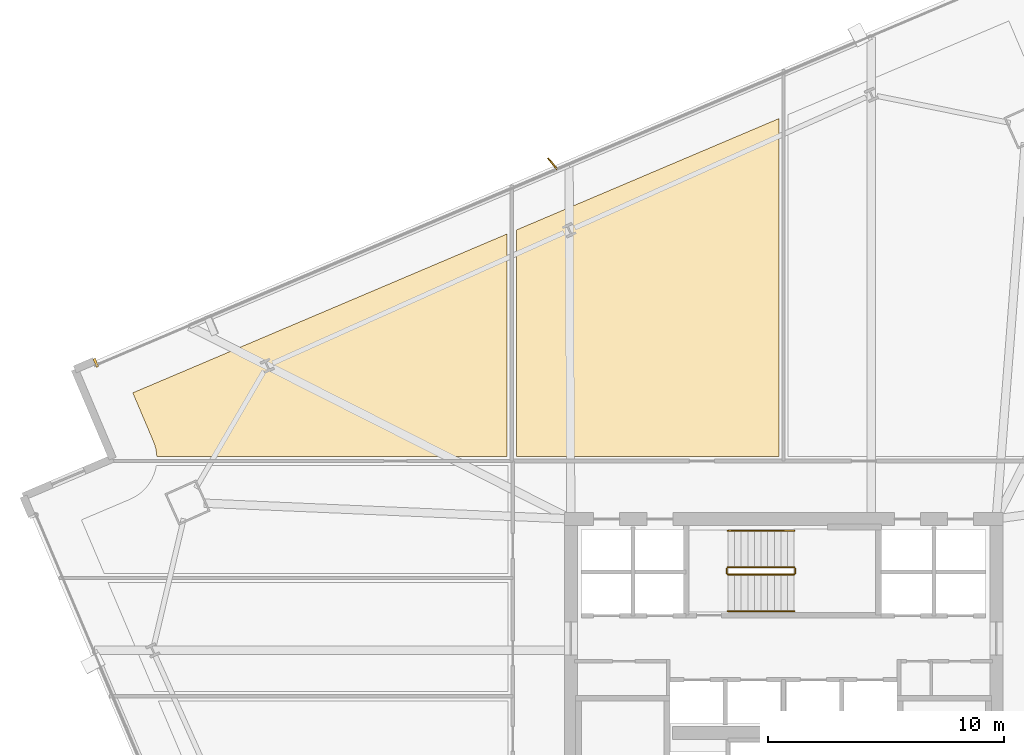
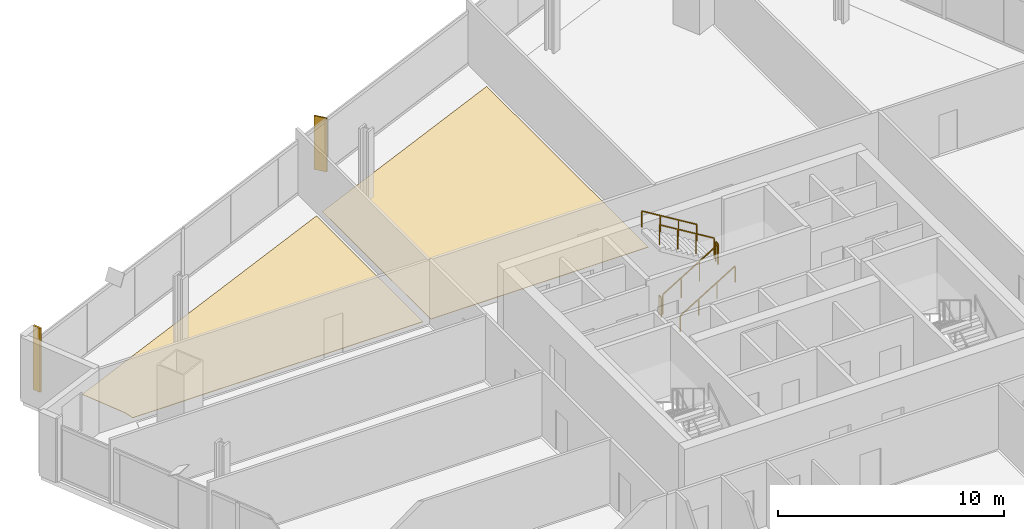
# One storey, part 33 of 34: 6 railings, 3 coverings, 1 shading device.
"""IFC4 building model written with IfcOpenShell, lengths in metres."""

from ifc_helpers import new_model, si_unit, direction, frame, origin, origin_2d, place, context, subcontext, project, spatial, polyline, rectangle, outline, extrude, source, transform, mapped, material, layer, layer_set, type_object, element, save


model = new_model("IFC4")

# Units and contexts
model_context = context("Model", 3, precision=1e-05, world=origin(), true_north=direction((0.0, 1.0)))
body_context = subcontext(model_context, "Body", "Model", "MODEL_VIEW")
ifc_project = project(units=[si_unit("LENGTHUNIT", "METRE"), si_unit("AREAUNIT", "SQUARE_METRE"), si_unit("VOLUMEUNIT", "CUBIC_METRE"), si_unit("PLANEANGLEUNIT", "RADIAN"), si_unit("MASSUNIT", "GRAM", prefix="KILO")], contexts=[model_context])

# Site, building, storey
site_placement = place(None, origin())
site = spatial("IfcSite", under=ifc_project, at=site_placement, CompositionType="ELEMENT")
building_placement = place(site_placement, origin())
building = spatial("IfcBuilding", under=site, at=building_placement, Name="Haldenkirk Collegiate Tower", CompositionType="ELEMENT")
storey_placement = place(building_placement, frame((0.0, 0.0, 105.449951171875)))
storey = spatial("IfcBuildingStorey", under=building, at=storey_placement, Name="L25", CompositionType="ELEMENT", Elevation=105.449951171875)

# Coverings
ifc_material_1 = material(Name="Polished collegiate terrazzo", Category="concrete")
ifc_layer_1 = layer(ifc_material_1, 0.02490234375)
ifc_layer_set_1 = layer_set([ifc_layer_1], Name="Polished collegiate terrazzo")
covering_type_1 = type_object("IfcCoveringType", Name="COV-FLOOR-TERRAZZO", PredefinedType="FLOORING", material=ifc_layer_set_1)
covering_1_placement = place(storey_placement, origin())
element("IfcCovering", 1, at=covering_1_placement, inside=storey, type_object=covering_type_1, Name="L25 academic room finish 04", PredefinedType="FLOORING", context=body_context, shape_type="SweptSolid", body=[
    extrude(outline(polyline([(9.4814453125, 36.743896484375), (9.480224609375, 36.755859375), (9.45361328125, 36.925537109375), (9.451171875, 36.93701171875), (9.407958984375, 37.103271484375), (9.404296875, 37.114501953125), (9.34521484375, 37.275634765625), (9.343017578125, 37.281005859375), (8.4716796875, 39.333740234375), (24.300048828125, 46.052490234375), (24.300048828125, 36.64990234375), (9.48681640625, 36.64990234375), (9.4814453125, 36.743896484375)])), origin(), (0.0, 0.0, 1.0), 0.025146484375),
])
ifc_material_2 = material(Name="Engineered collegiate oak acoustic flooring", Category="wood")
ifc_layer_2 = layer(ifc_material_2, 0.02197265625)
ifc_layer_set_2 = layer_set([ifc_layer_2], Name="Engineered collegiate oak acoustic flooring")
covering_type_2 = type_object("IfcCoveringType", Name="COV-FLOOR-TIMBER", PredefinedType="FLOORING", material=ifc_layer_set_2)
covering_2_placement = place(storey_placement, origin())
element("IfcCovering", 2, at=covering_2_placement, inside=storey, type_object=covering_type_2, Name="L25 academic room finish 05", PredefinedType="FLOORING", context=body_context, shape_type="SweptSolid", body=[
    extrude(outline(polyline([(35.800048828125, 50.93408203125), (35.800048828125, 36.64990234375), (24.699951171875, 36.64990234375), (24.699951171875, 46.222412109375), (35.800048828125, 50.93408203125)])), origin(), (0.0, 0.0, 1.0), 0.02197265625),
])

# Railings
ifc_material_3 = material(Name="Painted architectural tubular steel", Category="steel")
railing_type_1 = type_object("IfcRailingType", Name="RLG-STAIR-GUARD-1100", PredefinedType="BALUSTRADE", material=ifc_material_3)
railing_1_placement = place(storey_placement, frame((33.64990234375, 31.64990234375, 0.17041015625)))
element("IfcRailing", 3, at=railing_1_placement, inside=storey, type_object=railing_type_1, Name="L25 ST-3 stair guard 1", PredefinedType="BALUSTRADE", context=body_context, shape_type="SweptSolid", body=[
    extrude(rectangle(XDim=0.048095703125, YDim=0.048095703125, at=origin_2d()), frame((0.0, 0.0, 1.076171875), z_axis=(0.854169791009, 0.0, 0.51999420009), x_axis=(0.0, 1.0, 0.0)), (0.0, 0.0, 1.0), 3.278076171875),
    extrude(rectangle(XDim=0.0419921875, YDim=0.0419921875, at=origin_2d()), origin(), (0.0, 0.0, 1.0), 1.052001953125),
    extrude(rectangle(XDim=0.0419921875, YDim=0.0419921875, at=origin_2d()), frame((0.933349609375, 0.0, 0.568115234375)), (0.0, 0.0, 1.0), 1.052001953125),
    extrude(rectangle(XDim=0.0419921875, YDim=0.0419921875, at=origin_2d()), frame((1.86669921875, 0.0, 1.136474609375)), (0.0, 0.0, 1.0), 1.052001953125),
    extrude(rectangle(XDim=0.0419921875, YDim=0.0419921875, at=origin_2d()), frame((2.800048828125, 0.0, 1.70458984375)), (0.0, 0.0, 1.0), 1.052001953125),
])
railing_2_placement = place(storey_placement, frame((36.5, 31.699951171875, 1.875)))
element("IfcRailing", 4, at=railing_2_placement, inside=storey, type_object=railing_type_1, Name="L25 ST-3 stair guard 2", PredefinedType="BALUSTRADE", context=body_context, shape_type="SweptSolid", body=[
    extrude(rectangle(XDim=0.048095703125, YDim=0.048095703125, at=origin_2d()), frame((0.0, 0.0, 1.076171875), z_axis=(0.0, 1.0, 0.0), x_axis=(-1.0, 0.0, 0.0)), (0.0, 0.0, 1.0), 0.199951171875),
    extrude(rectangle(XDim=0.0419921875, YDim=0.0419921875, at=origin_2d()), origin(), (0.0, 0.0, 1.0), 1.052001953125),
    extrude(rectangle(XDim=0.0419921875, YDim=0.0419921875, at=origin_2d()), frame((0.0, 0.199951171875, 0.0)), (0.0, 0.0, 1.0), 1.052001953125),
])
railing_3_placement = place(storey_placement, frame((36.449951171875, 31.949951171875, 2.04541015625)))
element("IfcRailing", 5, at=railing_3_placement, inside=storey, type_object=railing_type_1, Name="L25 ST-3 stair guard 3", PredefinedType="BALUSTRADE", context=body_context, shape_type="SweptSolid", body=[
    extrude(rectangle(XDim=0.048095703125, YDim=0.048095703125, at=origin_2d()), frame((0.0, 0.0, 1.076171875), z_axis=(-0.854169791009, 0.0, 0.51999420009), x_axis=(0.0, -1.0, 0.0)), (0.0, 0.0, 1.0), 3.278076171875),
    extrude(rectangle(XDim=0.0419921875, YDim=0.0419921875, at=origin_2d()), origin(), (0.0, 0.0, 1.0), 1.052001953125),
    extrude(rectangle(XDim=0.0419921875, YDim=0.0419921875, at=origin_2d()), frame((-0.933349609375, 0.0, 0.568115234375)), (0.0, 0.0, 1.0), 1.052001953125),
    extrude(rectangle(XDim=0.0419921875, YDim=0.0419921875, at=origin_2d()), frame((-1.86669921875, 0.0, 1.136474609375)), (0.0, 0.0, 1.0), 1.052001953125),
    extrude(rectangle(XDim=0.0419921875, YDim=0.0419921875, at=origin_2d()), frame((-2.800048828125, 0.0, 1.70458984375)), (0.0, 0.0, 1.0), 1.052001953125),
])
railing_4_placement = place(storey_placement, frame((33.60009765625, 31.699951171875, 0.0)))
element("IfcRailing", 6, at=railing_4_placement, inside=storey, type_object=railing_type_1, Name="L25 ST-3 stair guard 4", PredefinedType="BALUSTRADE", context=body_context, shape_type="SweptSolid", body=[
    extrude(rectangle(XDim=0.048095703125, YDim=0.048095703125, at=origin_2d()), frame((0.0, 0.0, 1.076171875), z_axis=(0.0, 1.0, 0.0), x_axis=(-1.0, 0.0, 0.0)), (0.0, 0.0, 1.0), 0.199951171875),
    extrude(rectangle(XDim=0.0419921875, YDim=0.0419921875, at=origin_2d()), origin(), (0.0, 0.0, 1.0), 1.052001953125),
    extrude(rectangle(XDim=0.0419921875, YDim=0.0419921875, at=origin_2d()), frame((0.0, 0.199951171875, 0.0)), (0.0, 0.0, 1.0), 1.052001953125),
])
railing_type_2 = type_object("IfcRailingType", Name="RLG-STAIR-HANDRAIL-900", PredefinedType="HANDRAIL", material=ifc_material_3)
railing_5_placement = place(storey_placement, frame((33.64990234375, 30.10009765625, 0.17041015625)))
element("IfcRailing", 7, at=railing_5_placement, inside=storey, type_object=railing_type_2, Name="L25 ST-3 stair handrail 1", PredefinedType="HANDRAIL", context=body_context, shape_type="SweptSolid", body=[
    extrude(rectangle(XDim=0.048095703125, YDim=0.048095703125, at=origin_2d()), frame((0.0, 0.0, 0.8759765625), z_axis=(0.854169791009, 0.0, 0.51999420009), x_axis=(0.0, 1.0, 0.0)), (0.0, 0.0, 1.0), 3.278076171875),
    extrude(rectangle(XDim=0.0419921875, YDim=0.0419921875, at=origin_2d()), origin(), (0.0, 0.0, 1.0), 0.851806640625),
    extrude(rectangle(XDim=0.0419921875, YDim=0.0419921875, at=origin_2d()), frame((0.933349609375, 0.0, 0.568115234375)), (0.0, 0.0, 1.0), 0.851806640625),
    extrude(rectangle(XDim=0.0419921875, YDim=0.0419921875, at=origin_2d()), frame((1.86669921875, 0.0, 1.136474609375)), (0.0, 0.0, 1.0), 0.851806640625),
    extrude(rectangle(XDim=0.0419921875, YDim=0.0419921875, at=origin_2d()), frame((2.800048828125, 0.0, 1.70458984375)), (0.0, 0.0, 1.0), 0.851806640625),
])
railing_6_placement = place(storey_placement, frame((36.449951171875, 33.5, 2.04541015625)))
element("IfcRailing", 8, at=railing_6_placement, inside=storey, type_object=railing_type_2, Name="L25 ST-3 stair handrail 2", PredefinedType="HANDRAIL", context=body_context, shape_type="SweptSolid", body=[
    extrude(rectangle(XDim=0.048095703125, YDim=0.048095703125, at=origin_2d()), frame((0.0, 0.0, 0.8759765625), z_axis=(-0.854169791009, 0.0, 0.51999420009), x_axis=(0.0, -1.0, 0.0)), (0.0, 0.0, 1.0), 3.278076171875),
    extrude(rectangle(XDim=0.0419921875, YDim=0.0419921875, at=origin_2d()), origin(), (0.0, 0.0, 1.0), 0.851806640625),
    extrude(rectangle(XDim=0.0419921875, YDim=0.0419921875, at=origin_2d()), frame((-0.933349609375, 0.0, 0.568115234375)), (0.0, 0.0, 1.0), 0.851806640625),
    extrude(rectangle(XDim=0.0419921875, YDim=0.0419921875, at=origin_2d()), frame((-1.86669921875, 0.0, 1.136474609375)), (0.0, 0.0, 1.0), 0.851806640625),
    extrude(rectangle(XDim=0.0419921875, YDim=0.0419921875, at=origin_2d()), frame((-2.800048828125, 0.0, 1.70458984375)), (0.0, 0.0, 1.0), 0.851806640625),
])

# Covering
ifc_material_4 = material(Name="Anodised architectural bronze aluminium", Category="aluminium")
ifc_layer_3 = layer(ifc_material_4, 0.06005859375)
ifc_layer_set_3 = layer_set([ifc_layer_3], Name="Anodised architectural bronze aluminium")
covering_type_3 = type_object("IfcCoveringType", Name="COV-CLAD-BRONZE-60", PredefinedType="CLADDING", material=ifc_layer_set_3)
shared_shape_1 = source(origin(), body_context, "Body", "SweptSolid", [
    extrude(rectangle(XDim=0.10009765625, YDim=0.3798828125, at=origin_2d()), origin(), (0.0, 0.0, 1.0), 3.449951171875),
])
covering_3_placement = place(storey_placement, frame((6.910888671875, 40.60498046875, 0.0), z_axis=(0.0, 0.0, 1.0), x_axis=(0.920504853452, 0.390731128489, 0.0)))
element("IfcCovering", 9, at=covering_3_placement, inside=storey, type_object=covering_type_3, Name="L25 recessed curtain-wall bronze jamb closure NJL", PredefinedType="CLADDING", context=body_context, shape_type="MappedRepresentation", body=[
    mapped(shared_shape_1, transform((0.0, 0.0, 0.0), x_axis=(1.0, 0.0, 0.0), y_axis=(0.0, 1.0, 0.0), z_axis=(0.0, 0.0, 1.0), scale=1.0)),
])

# Shading device
ifc_layer_4 = layer(ifc_material_4, 0.06494140625)
ifc_layer_set_4 = layer_set([ifc_layer_4], Name="Anodised architectural bronze aluminium")
shading_device_type = type_object("IfcShadingDeviceType", Name="SHD-FIN-BRONZE-620", PredefinedType="USERDEFINED", material=ifc_layer_set_4)
shared_shape_2 = source(origin(), body_context, "Body", "SweptSolid", [
    extrude(rectangle(XDim=0.6201171875, YDim=0.06494140625, at=origin_2d()), origin(), (0.0, 0.0, 1.0), 2.90087890625),
])
shading_device_placement = place(storey_placement, frame((26.225830078125, 49.0263671875, 0.0), z_axis=(0.0, 0.0, 1.0), x_axis=(-0.62932039105, 0.777145961457, 0.0)))
element("IfcShadingDevice", 10, at=shading_device_placement, inside=storey, type_object=shading_device_type, Name="L25 folded bronze solar fin 1", ObjectType="FIN", PredefinedType="USERDEFINED", context=body_context, shape_type="MappedRepresentation", body=[
    mapped(shared_shape_2, transform((0.0, 0.0, 0.0), x_axis=(1.0, 0.0, 0.0), y_axis=(0.0, 1.0, 0.0), z_axis=(0.0, 0.0, 1.0), scale=1.0)),
])

save(model, "model.ifc")
